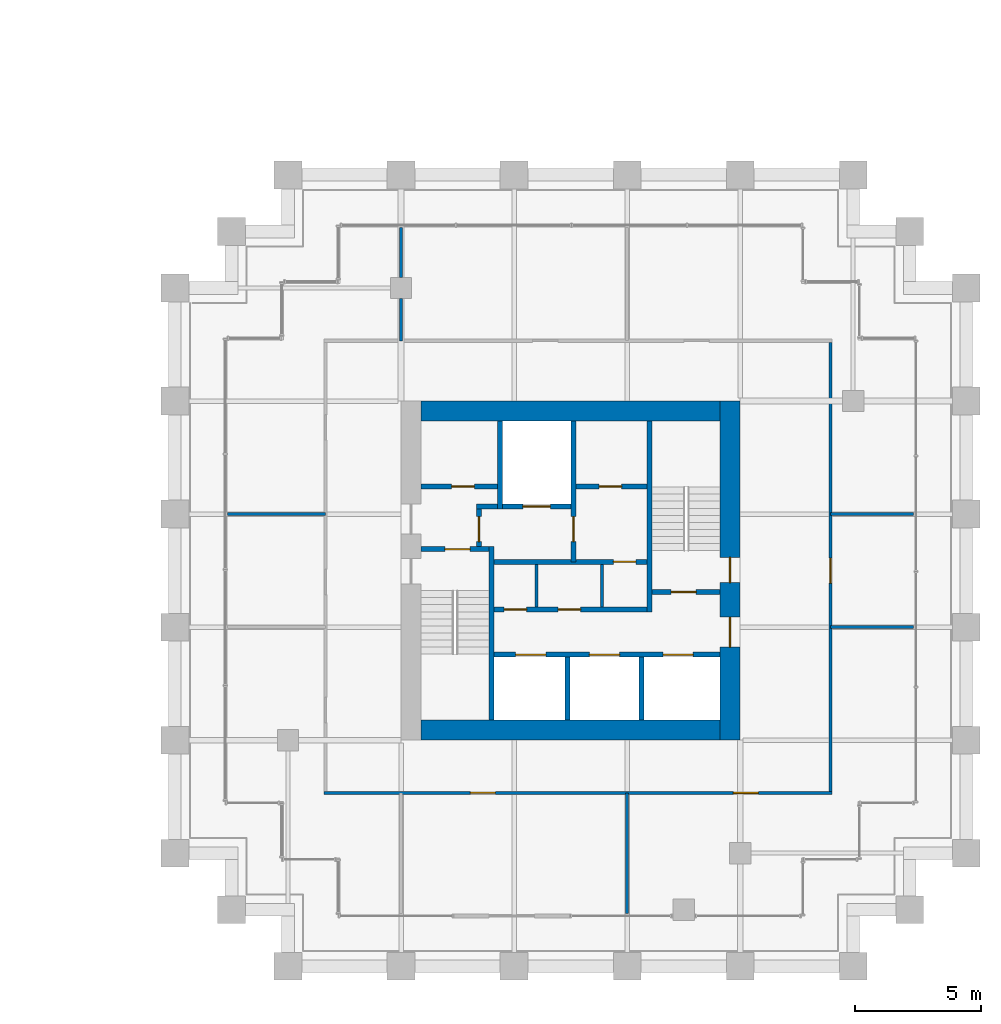
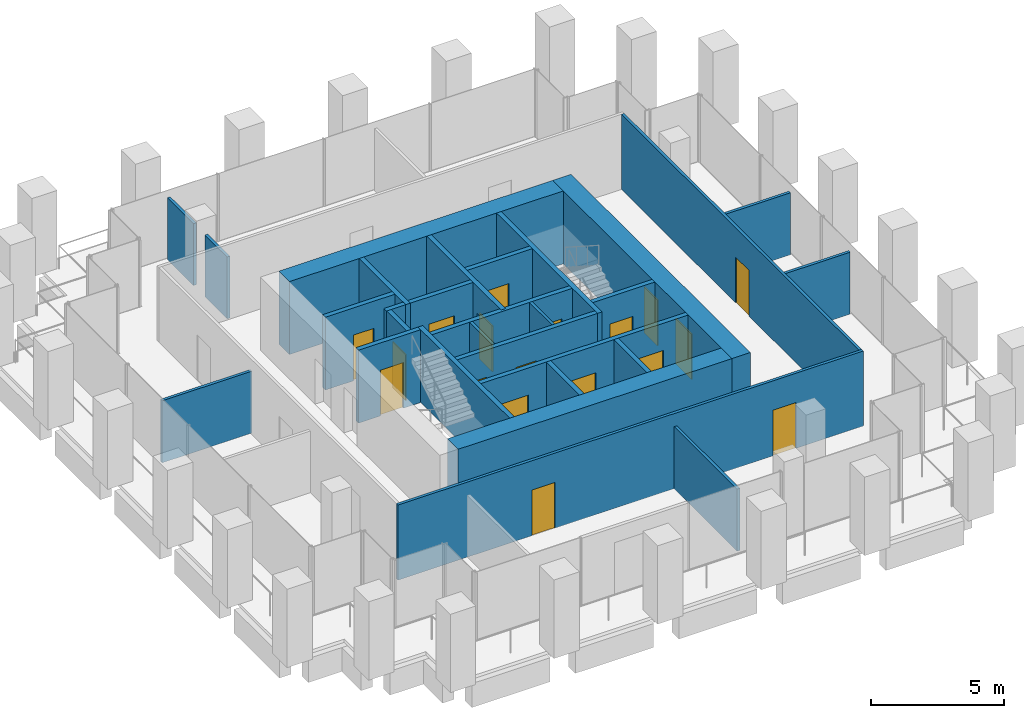
# One storey, part 53 of 56: 29 walls, 18 doors, 18 openings.
"""IFC4 building model written with IfcOpenShell, lengths in metres."""

import ifcopenshell
import ifcopenshell.guid

model = None  # the IFC model being written
_history = None  # IfcOwnerHistory: only IFC2X3 demands one
_inside = {}  # id of a spatial element -> (the spatial element, [elements in it])
_under = {}  # id of a project, library or spatial element -> (it, [spatial elements below it])
_declared = {}  # id of a project -> (the project, [libraries it declares])
_typed = {}  # id of a type object -> (the type object, [elements of that type])
_made_of = {}  # id of a material, layer set ... -> (it, [elements and type objects made of it])


def new_model(schema):
    """Start an empty IFC model of exactly this schema.

    Asked for "IFC4X3", IfcOpenShell would pick the latest addendum, in which some entities
    have other attributes; the version numbers below select the first issue.
    IFC2X3 requires an IfcOwnerHistory on every rooted entity: one is made here for all.
    """
    global model, _history
    if schema == "IFC4X3":
        model = ifcopenshell.file(schema_version=(4, 3, 0, 0))
    else:
        model = ifcopenshell.file(schema=schema)
    _inside.clear()
    _under.clear()
    _declared.clear()
    _typed.clear()
    _made_of.clear()
    _history = None
    if model.schema == "IFC2X3":
        org = make("IfcOrganization", Name="unknown")
        user = make(
            "IfcPersonAndOrganization",
            ThePerson=make("IfcPerson", FamilyName="unknown"),
            TheOrganization=org,
        )
        app = make(
            "IfcApplication",
            ApplicationDeveloper=org,
            Version="unknown",
            ApplicationFullName="unknown",
            ApplicationIdentifier="unknown",
        )
        _history = make(
            "IfcOwnerHistory",
            OwningUser=user,
            OwningApplication=app,
            ChangeAction="ADDED",
            CreationDate=0,
        )
    return model


def make(cls, **values):
    """One entity of the class cls with the attributes given. An attribute that is None is left unset."""
    return model.create_entity(
        cls, **{name: value for name, value in values.items() if value is not None}
    )


def rooted(cls, **values):
    """An entity with a GlobalId (a new one), such as an element, a storey or a relation."""
    return make(cls, GlobalId=ifcopenshell.guid.new(), OwnerHistory=_history, **values)


def si_unit(unit_type, name, prefix=None):
    """IfcSIUnit, for example si_unit("LENGTHUNIT", "METRE", prefix="MILLI")."""
    return make("IfcSIUnit", UnitType=unit_type, Prefix=prefix, Name=name)


def assignment(units):
    """IfcUnitAssignment: the units of a project."""
    return None if units is None else make("IfcUnitAssignment", Units=units)


def point(xyz):
    """IfcCartesianPoint."""
    return None if xyz is None else make("IfcCartesianPoint", Coordinates=xyz)


def direction(xyz):
    """IfcDirection."""
    return None if xyz is None else make("IfcDirection", DirectionRatios=xyz)


def frame(location, z_axis=None, x_axis=None):
    """IfcAxis2Placement3D, a coordinate frame: its origin and axes. An axis left out is left unset."""
    return make(
        "IfcAxis2Placement3D",
        Location=point(location),
        Axis=direction(z_axis),
        RefDirection=direction(x_axis),
    )


def frame_2d(location, x_axis=None):
    """IfcAxis2Placement2D, a coordinate frame in the plane: its origin and x axis."""
    return make(
        "IfcAxis2Placement2D", Location=point(location), RefDirection=direction(x_axis)
    )


def origin():
    """The frame at (0, 0, 0) with its axes left unset."""
    return frame((0.0, 0.0, 0.0))


def place(relative_to, where):
    """IfcLocalPlacement: puts the frame where relative to a parent placement (None: the world)."""
    return make(
        "IfcLocalPlacement", PlacementRelTo=relative_to, RelativePlacement=where
    )


def context(
    kind, dimensions, precision=None, world=None, true_north=None, identifier=None
):
    """IfcGeometricRepresentationContext, for example the 3D "Model" context."""
    return make(
        "IfcGeometricRepresentationContext",
        ContextIdentifier=identifier,
        ContextType=kind,
        CoordinateSpaceDimension=dimensions,
        Precision=precision,
        WorldCoordinateSystem=world,
        TrueNorth=true_north,
    )


def subcontext(parent, identifier, kind, view, scale=None):
    """IfcGeometricRepresentationSubContext, for example "Body" below "Model"."""
    return make(
        "IfcGeometricRepresentationSubContext",
        ContextIdentifier=identifier,
        ContextType=kind,
        ParentContext=parent,
        TargetScale=scale,
        TargetView=view,
    )


def project(units=None, contexts=None):
    """IfcProject with its units and contexts."""
    return rooted(
        "IfcProject",
        Name="project",
        RepresentationContexts=contexts,
        UnitsInContext=assignment(units),
    )


def spatial(cls, under=None, at=None, **own):
    """A site, building, storey or space (cls), placed at a placement, below another one or the project."""
    s = rooted(cls, ObjectPlacement=at, **own)
    if under is not None:
        _under.setdefault(under.id(), (under, []))[1].append(s)
    return s


def profile(cls, at=None, kind="AREA", **sizes):
    """A parametric profile (cls). Its sizes go by their IFC names, for example OverallWidth=200.0."""
    return make(cls, ProfileType=kind, Position=at, **sizes)


def rectangle(**sizes):
    """IfcRectangleProfileDef."""
    return profile("IfcRectangleProfileDef", **sizes)


def extrude(swept, where, along, depth):
    """IfcExtrudedAreaSolid: the profile swept, set in the frame where, extruded along a direction by depth."""
    return make(
        "IfcExtrudedAreaSolid",
        SweptArea=swept,
        Position=where,
        ExtrudedDirection=direction(along),
        Depth=depth,
    )


def shape(context_of_items, identifier, shape_type, items):
    """IfcShapeRepresentation: the items that make up one representation, for example the "Body"."""
    return make(
        "IfcShapeRepresentation",
        ContextOfItems=context_of_items,
        RepresentationIdentifier=identifier,
        RepresentationType=shape_type,
        Items=items,
    )


def material(Name=None, Category=None):
    """IfcMaterial."""
    return make("IfcMaterial", Name=Name, Category=Category)


def layer(
    of_material, thickness, ventilated=None, Name=None, Category=None, Priority=None
):
    """IfcMaterialLayer: one layer of a wall or slab, of a material (None: an air gap)."""
    return make(
        "IfcMaterialLayer",
        Material=of_material,
        LayerThickness=thickness,
        IsVentilated=ventilated,
        Name=Name,
        Category=Category,
        Priority=Priority,
    )


def layer_set(layers, Name=None):
    """IfcMaterialLayerSet."""
    return make("IfcMaterialLayerSet", MaterialLayers=layers, LayerSetName=Name)


def made_of(thing, what):
    """Note that an element or type object is made of a material, layer set ...; save() writes the relation."""
    if what is not None:
        _made_of.setdefault(what.id(), (what, []))[1].append(thing)
    return thing


def type_object(cls, material=None, **own):
    """A type object (cls), such as IfcWallType, which elements share."""
    return made_of(rooted(cls, **own), material)


def element(
    cls,
    number,
    at=None,
    inside=None,
    cuts=None,
    type_object=None,
    material=None,
    context=None,
    identifier="Body",
    shape_type=None,
    held_by="IfcProductDefinitionShape",
    body=None,
    shapes=None,
    **own,
):
    """One element of the class cls, such as IfcWall. Its Tag is "e" and its number.

    at: its placement. inside: the storey or other place that contains it. cuts: it is an
    opening in that element (IfcRelVoidsElement). A single representation is given by context,
    identifier, shape_type and body (its items); several are given by shapes. held_by: the class
    of the entity that holds the representations. save() writes the other relations.
    """
    e = rooted(cls, Tag="e%d" % number, ObjectPlacement=at, **own)
    if body is not None:
        shapes = [shape(context, identifier, shape_type, body)]
    if shapes is not None:
        e.Representation = make(held_by, Representations=shapes)
    if inside is not None:
        _inside.setdefault(inside.id(), (inside, []))[1].append(e)
    if cuts is not None:
        rooted(
            "IfcRelVoidsElement", RelatingBuildingElement=cuts, RelatedOpeningElement=e
        )
    if type_object is not None:
        _typed.setdefault(type_object.id(), (type_object, []))[1].append(e)
    return made_of(e, material)


def fill(opening, filler):
    """IfcRelFillsElement: the door or window that sits in an opening."""
    return rooted(
        "IfcRelFillsElement",
        RelatingOpeningElement=opening,
        RelatedBuildingElement=filler,
    )


def aggregate(whole, parts):
    """IfcRelAggregates: a whole, such as a stair, and the parts it consists of."""
    return rooted("IfcRelAggregates", RelatingObject=whole, RelatedObjects=parts)


def save(model, path):
    """Write the relations noted so far, then the file.

    IfcRelAggregates (storeys below a building ...), IfcRelContainedInSpatialStructure (elements
    in a storey), IfcRelDefinesByType, IfcRelAssociatesMaterial and IfcRelDeclares: one each for
    every whole, place, type object, material and project.
    """
    for whole, parts in _under.values():
        aggregate(whole, parts)
    for where, things in _inside.values():
        rooted(
            "IfcRelContainedInSpatialStructure",
            RelatedElements=things,
            RelatingStructure=where,
        )
    for kind, things in _typed.values():
        rooted("IfcRelDefinesByType", RelatedObjects=things, RelatingType=kind)
    for what, things in _made_of.values():
        rooted("IfcRelAssociatesMaterial", RelatedObjects=things, RelatingMaterial=what)
    for by, libraries in _declared.values():
        rooted("IfcRelDeclares", RelatingContext=by, RelatedDefinitions=libraries)
    model.write(path)


model = new_model("IFC4")

# Units and contexts
model_context = context("Model", 3, precision=1e-05, world=origin(), true_north=direction((0.0, 1.0)))
body_context = subcontext(model_context, "Body", "Model", "MODEL_VIEW")
ifc_project = project(units=[si_unit("LENGTHUNIT", "METRE"), si_unit("AREAUNIT", "SQUARE_METRE"), si_unit("VOLUMEUNIT", "CUBIC_METRE"), si_unit("PLANEANGLEUNIT", "RADIAN"), si_unit("MASSUNIT", "GRAM", prefix="KILO")], contexts=[model_context])

# Site, building, storey
site_placement = place(None, origin())
site = spatial("IfcSite", under=ifc_project, at=site_placement, CompositionType="ELEMENT")
building_placement = place(site_placement, origin())
building = spatial("IfcBuilding", under=site, at=building_placement, Name="Altepetl Exchange Towers", CompositionType="ELEMENT")
storey_placement = place(building_placement, frame((0.0, 0.0, 76.199951171875)))
storey = spatial("IfcBuildingStorey", under=building, at=storey_placement, Name="L18", CompositionType="ELEMENT", Elevation=76.199951171875)

# Wall, openings, doors
ifc_material_1 = material(Name="Concrete C70/85", Category="concrete")
ifc_layer_1 = layer(ifc_material_1, 0.800048828125)
ifc_layer_set_1 = layer_set([ifc_layer_1], Name="Concrete C70/85")
wall_type_1 = type_object("IfcWallType", Name="Core wall 800 reinforced concrete", PredefinedType="SHEAR", material=ifc_layer_set_1)
wall_1_placement = place(storey_placement, frame((116.60009765625, 36.0, 0.0), z_axis=(0.0, 0.0, 1.0), x_axis=(0.0, 1.0, 0.0)))
wall_1 = element("IfcWall", 1, at=wall_1_placement, inside=storey, type_object=wall_type_1, Name="wall:B:L18:K-coreE", PredefinedType="SHEAR", context=body_context, shape_type="SweptSolid", body=[
    extrude(rectangle(XDim=13.5, YDim=0.800048828125, at=frame_2d((6.75, 0.0))), origin(), (0.0, 0.0, 1.0), 3.35009765625),
])
opening_1_placement = place(wall_1_placement, frame((3.699951171875, 0.0, 0.0)))
opening_1 = element("IfcOpeningElement", 2, at=opening_1_placement, cuts=wall_1, Name="Opening L18.B61", PredefinedType="OPENING", context=body_context, shape_type="SweptSolid", body=[
    extrude(rectangle(XDim=1.199951171875, YDim=2.10009765625, at=frame_2d((0.60009765625, 1.050048828125))), frame((0.0, 0.41015625, 0.0), z_axis=(0.0, -1.0, 0.0), x_axis=(1.0, 0.0, 0.0)), (0.0, 0.0, 1.0), 0.820068359375),
])
opening_2_placement = place(wall_1_placement, frame((6.27490234375, 0.0, 0.0)))
opening_2 = element("IfcOpeningElement", 3, at=opening_2_placement, cuts=wall_1, Name="Opening L18.B65", PredefinedType="OPENING", context=body_context, shape_type="SweptSolid", body=[
    extrude(rectangle(XDim=1.0, YDim=2.10009765625, at=frame_2d((0.5, 1.050048828125))), frame((0.0, 0.41015625, 0.0), z_axis=(0.0, -1.0, 0.0), x_axis=(1.0, 0.0, 0.0)), (0.0, 0.0, 1.0), 0.820068359375),
])
ifc_material_2 = material(Name="Steel and timber fire door", Category="steel")
door_type_1 = type_object("IfcDoorType", Name="Fire door 1000 x 2100 stair and lobby", OperationType="SINGLE_SWING_LEFT", PredefinedType="DOOR", material=ifc_material_2)
door_1_placement = place(opening_2_placement, origin())
door_1 = element("IfcDoor", 4, at=door_1_placement, inside=storey, type_object=door_type_1, Name="door:B:L18:K-dS2x", OperationType="SINGLE_SWING_LEFT", OverallHeight=2.10009765625, OverallWidth=1.0, PredefinedType="DOOR", context=body_context, shape_type="SweptSolid", body=[
    extrude(rectangle(XDim=1.0, YDim=2.10009765625, at=frame_2d((0.5, 1.050048828125))), frame((0.0, 0.02490234375, 0.0), z_axis=(0.0, -1.0, 0.0), x_axis=(1.0, 0.0, 0.0)), (0.0, 0.0, 1.0), 0.050048828125),
])
fill(opening_2, door_1)
door_type_2 = type_object("IfcDoorType", Name="Fire door 1200 x 2100 lobby entry", OperationType="SINGLE_SWING_LEFT", PredefinedType="DOOR", material=ifc_material_2)
door_2_placement = place(opening_1_placement, origin())
door_2 = element("IfcDoor", 5, at=door_2_placement, inside=storey, type_object=door_type_2, Name="door:B:L18:K-dLSE", OperationType="SINGLE_SWING_RIGHT", OverallHeight=2.10009765625, OverallWidth=1.199951171875, PredefinedType="DOOR", context=body_context, shape_type="SweptSolid", body=[
    extrude(rectangle(XDim=1.199951171875, YDim=2.10009765625, at=frame_2d((0.60009765625, 1.050048828125))), frame((0.0, 0.02490234375, 0.0), z_axis=(0.0, -1.0, 0.0), x_axis=(1.0, 0.0, 0.0)), (0.0, 0.0, 1.0), 0.050048828125),
])
fill(opening_1, door_2)

# Walls
for number, where, name in (
    (6, (104.300048828125, 49.10009765625, 0.0), "wall:B:L18:K-coreN"),
    (7, (104.300048828125, 36.39990234375, 0.0), "wall:B:L18:K-coreS"),
):
    element("IfcWall", number, at=place(storey_placement, frame(where)), inside=storey, type_object=wall_type_1, Name=name, PredefinedType="SHEAR", context=body_context, shape_type="SweptSolid", body=[
        extrude(rectangle(XDim=11.89990234375, YDim=0.800048828125, at=frame_2d((5.949951171875, 0.0))), origin(), (0.0, 0.0, 1.0), 3.35009765625),
    ])
ifc_material_3 = material(Name="Concrete blockwork", Category="masonry")
ifc_layer_2 = layer(ifc_material_3, 0.199951171875)
ifc_layer_set_2 = layer_set([ifc_layer_2], Name="Concrete blockwork")
wall_type_2 = type_object("IfcWallType", Name="Lobby wall 200 blockwork", PredefinedType="PARTITIONING", material=ifc_layer_set_2)
wall_2_placement = place(storey_placement, frame((106.5, 45.300048828125, 0.0)))
element("IfcWall", 8, at=wall_2_placement, inside=storey, type_object=wall_type_2, Name="wall:B:L18:K-ffNw", PredefinedType="PARTITIONING", context=body_context, shape_type="SweptSolid", body=[
    extrude(rectangle(XDim=0.833251953125, YDim=0.199951171875, at=frame_2d((0.41650390625, 0.0))), origin(), (0.0, 0.0, 1.0), 3.35009765625),
])

# Wall, opening, door
wall_3_placement = place(storey_placement, frame((106.60009765625, 43.699951171875, 0.0), z_axis=(0.0, 0.0, 1.0), x_axis=(0.0, 1.0, 0.0)))
wall_3 = element("IfcWall", 9, at=wall_3_placement, inside=storey, type_object=wall_type_2, Name="wall:B:L18:K-ffW", PredefinedType="PARTITIONING", context=body_context, shape_type="SweptSolid", body=[
    extrude(rectangle(XDim=1.5, YDim=0.199951171875, at=frame_2d((0.75, 0.0))), origin(), (0.0, 0.0, 1.0), 3.35009765625),
])
opening_3_placement = place(wall_3_placement, frame((0.199951171875, 0.0, 0.0)))
opening_3 = element("IfcOpeningElement", 10, at=opening_3_placement, cuts=wall_3, Name="Opening L18.B67", PredefinedType="OPENING", context=body_context, shape_type="SweptSolid", body=[
    extrude(rectangle(XDim=1.0, YDim=2.10009765625, at=frame_2d((0.5, 1.050048828125))), frame((0.0, 0.10986328125, 0.0), z_axis=(0.0, -1.0, 0.0), x_axis=(1.0, 0.0, 0.0)), (0.0, 0.0, 1.0), 0.219970703125),
])
door_3_placement = place(opening_3_placement, frame((1.0, 0.0, 0.0), x_axis=(-1.0, 0.0, 0.0)))
door_3 = element("IfcDoor", 11, at=door_3_placement, inside=storey, type_object=door_type_1, Name="door:B:L18:K-dffW", OperationType="SINGLE_SWING_LEFT", OverallHeight=2.10009765625, OverallWidth=1.0, PredefinedType="DOOR", context=body_context, shape_type="SweptSolid", body=[
    extrude(rectangle(XDim=1.0, YDim=2.10009765625, at=frame_2d((0.5, 1.050048828125))), frame((0.0, 0.02490234375, 0.0), z_axis=(0.0, -1.0, 0.0), x_axis=(1.0, 0.0, 0.0)), (0.0, 0.0, 1.0), 0.050048828125),
])
fill(opening_3, door_3)

wall_4_placement = place(storey_placement, frame((107.199951171875, 43.10009765625, 0.0)))
wall_4 = element("IfcWall", 12, at=wall_4_placement, inside=storey, type_object=wall_type_2, Name="wall:B:L18:K-zoneN", PredefinedType="PARTITIONING", context=body_context, shape_type="SweptSolid", body=[
    extrude(rectangle(XDim=6.10009765625, YDim=0.199951171875, at=frame_2d((3.050048828125, 0.0))), origin(), (0.0, 0.0, 1.0), 3.35009765625),
])
opening_4_placement = place(wall_4_placement, frame((4.75, 0.0, 0.0)))
opening_4 = element("IfcOpeningElement", 13, at=opening_4_placement, cuts=wall_4, Name="Opening L18.B72", PredefinedType="OPENING", context=body_context, shape_type="SweptSolid", body=[
    extrude(rectangle(XDim=0.89990234375, YDim=2.10009765625, at=frame_2d((0.449951171875, 1.050048828125))), frame((0.0, 0.10986328125, 0.0), z_axis=(0.0, -1.0, 0.0), x_axis=(1.0, 0.0, 0.0)), (0.0, 0.0, 1.0), 0.219970703125),
])
door_type_3 = type_object("IfcDoorType", Name="Fire door 900 x 2100 service room", OperationType="SINGLE_SWING_LEFT", PredefinedType="DOOR", material=ifc_material_2)
door_4_placement = place(opening_4_placement, frame((0.89990234375, 0.0, 0.0), x_axis=(-1.0, 0.0, 0.0)))
door_4 = element("IfcDoor", 14, at=door_4_placement, inside=storey, type_object=door_type_3, Name="door:B:L18:K-dz3", OperationType="SINGLE_SWING_RIGHT", OverallHeight=2.10009765625, OverallWidth=0.89990234375, PredefinedType="DOOR", context=body_context, shape_type="SweptSolid", body=[
    extrude(rectangle(XDim=0.89990234375, YDim=2.10009765625, at=frame_2d((0.449951171875, 1.050048828125))), frame((0.0, 0.02490234375, 0.0), z_axis=(0.0, -1.0, 0.0), x_axis=(1.0, 0.0, 0.0)), (0.0, 0.0, 1.0), 0.050048828125),
])
fill(opening_4, door_4)

# Wall, openings, doors
wall_5_placement = place(storey_placement, frame((107.199951171875, 41.199951171875, 0.0)))
wall_5 = element("IfcWall", 15, at=wall_5_placement, inside=storey, type_object=wall_type_2, Name="wall:B:L18:K-zoneS", PredefinedType="PARTITIONING", context=body_context, shape_type="SweptSolid", body=[
    extrude(rectangle(XDim=6.10009765625, YDim=0.199951171875, at=frame_2d((3.050048828125, 0.0))), origin(), (0.0, 0.0, 1.0), 3.35009765625),
])
opening_5_placement = place(wall_5_placement, frame((0.39990234375, 0.0, 0.0)))
opening_5 = element("IfcOpeningElement", 16, at=opening_5_placement, cuts=wall_5, Name="Opening L18.B70", PredefinedType="OPENING", context=body_context, shape_type="SweptSolid", body=[
    extrude(rectangle(XDim=0.89990234375, YDim=2.10009765625, at=frame_2d((0.449951171875, 1.050048828125))), frame((0.0, 0.10986328125, 0.0), z_axis=(0.0, -1.0, 0.0), x_axis=(1.0, 0.0, 0.0)), (0.0, 0.0, 1.0), 0.219970703125),
])
opening_6_placement = place(wall_5_placement, frame((2.550048828125, 0.0, 0.0)))
opening_6 = element("IfcOpeningElement", 17, at=opening_6_placement, cuts=wall_5, Name="Opening L18.B71", PredefinedType="OPENING", context=body_context, shape_type="SweptSolid", body=[
    extrude(rectangle(XDim=0.89990234375, YDim=2.10009765625, at=frame_2d((0.449951171875, 1.050048828125))), frame((0.0, 0.10986328125, 0.0), z_axis=(0.0, -1.0, 0.0), x_axis=(1.0, 0.0, 0.0)), (0.0, 0.0, 1.0), 0.219970703125),
])
door_5_placement = place(opening_5_placement, origin())
door_5 = element("IfcDoor", 18, at=door_5_placement, inside=storey, type_object=door_type_3, Name="door:B:L18:K-dz1", OperationType="SINGLE_SWING_RIGHT", OverallHeight=2.10009765625, OverallWidth=0.89990234375, PredefinedType="DOOR", context=body_context, shape_type="SweptSolid", body=[
    extrude(rectangle(XDim=0.89990234375, YDim=2.10009765625, at=frame_2d((0.449951171875, 1.050048828125))), frame((0.0, 0.02490234375, 0.0), z_axis=(0.0, -1.0, 0.0), x_axis=(1.0, 0.0, 0.0)), (0.0, 0.0, 1.0), 0.050048828125),
])
fill(opening_5, door_5)
door_6_placement = place(opening_6_placement, origin())
door_6 = element("IfcDoor", 19, at=door_6_placement, inside=storey, type_object=door_type_3, Name="door:B:L18:K-dz2", OperationType="SINGLE_SWING_LEFT", OverallHeight=2.10009765625, OverallWidth=0.89990234375, PredefinedType="DOOR", context=body_context, shape_type="SweptSolid", body=[
    extrude(rectangle(XDim=0.89990234375, YDim=2.10009765625, at=frame_2d((0.449951171875, 1.050048828125))), frame((0.0, 0.02490234375, 0.0), z_axis=(0.0, -1.0, 0.0), x_axis=(1.0, 0.0, 0.0)), (0.0, 0.0, 1.0), 0.050048828125),
])
fill(opening_6, door_6)

# Walls
ifc_material_4 = material(Name="Gypsum board on steel studs", Category="steel")
ifc_layer_3 = layer(ifc_material_4, 0.125)
ifc_layer_set_3 = layer_set([ifc_layer_3], Name="Gypsum board on steel studs")
wall_type_3 = type_object("IfcWallType", Name="Partition 125 gypsum board on steel studs", PredefinedType="PARTITIONING", material=ifc_layer_set_3)
for number, where, z_axis, x_axis, name in (
    (20, (108.89990234375, 41.300048828125, 0.0), (0.0, 0.0, 1.0), (0.0, 1.0, 0.0), "wall:B:L18:K-zp1"),
    (21, (111.5, 41.300048828125, 0.0), (0.0, 0.0, 1.0), (0.0, 1.0, 0.0), "wall:B:L18:K-zp2"),
):
    element("IfcWall", number, at=place(storey_placement, frame(where, z_axis=z_axis, x_axis=x_axis)), inside=storey, type_object=wall_type_3, Name=name, PredefinedType="PARTITIONING", context=body_context, shape_type="SweptSolid", body=[
        extrude(rectangle(XDim=1.699951171875, YDim=0.125, at=frame_2d((0.85009765625, 0.0))), origin(), (0.0, 0.0, 1.0), 3.35009765625),
    ])

# Wall, openings, doors
wall_6_placement = place(storey_placement, frame((100.4375, 33.89990234375, 0.0)))
wall_6 = element("IfcWall", 22, at=wall_6_placement, inside=storey, type_object=wall_type_3, Name="wall:B:L18:P01", PredefinedType="PARTITIONING", context=body_context, shape_type="SweptSolid", body=[
    extrude(rectangle(XDim=20.22509765625, YDim=0.125, at=frame_2d((10.112548828125, 0.0))), origin(), (0.0, 0.0, 1.0), 3.449951171875),
])
opening_7_placement = place(wall_6_placement, frame((5.819580078125, 0.0, 0.0)))
opening_7 = element("IfcOpeningElement", 23, at=opening_7_placement, cuts=wall_6, Name="Opening L18.B02", PredefinedType="OPENING", context=body_context, shape_type="SweptSolid", body=[
    extrude(rectangle(XDim=1.0, YDim=2.10009765625, at=frame_2d((0.5, 1.050048828125))), frame((0.0, 0.072509765625, 0.0), z_axis=(0.0, -1.0, 0.0), x_axis=(1.0, 0.0, 0.0)), (0.0, 0.0, 1.0), 0.14501953125),
])
opening_8_placement = place(wall_6_placement, frame((16.29248046875, 0.0, 0.0)))
opening_8 = element("IfcOpeningElement", 24, at=opening_8_placement, cuts=wall_6, Name="Opening L18.B03", PredefinedType="OPENING", context=body_context, shape_type="SweptSolid", body=[
    extrude(rectangle(XDim=1.0, YDim=2.10009765625, at=frame_2d((0.5, 1.050048828125))), frame((0.0, 0.072509765625, 0.0), z_axis=(0.0, -1.0, 0.0), x_axis=(1.0, 0.0, 0.0)), (0.0, 0.0, 1.0), 0.14501953125),
])
door_type_4 = type_object("IfcDoorType", Name="Fire door 1000 x 2100 single leaf", OperationType="SINGLE_SWING_LEFT", PredefinedType="DOOR", material=ifc_material_2)
door_7_placement = place(opening_7_placement, frame((1.0, 0.0, 0.0), x_axis=(-1.0, 0.0, 0.0)))
door_7 = element("IfcDoor", 25, at=door_7_placement, inside=storey, type_object=door_type_4, Name="door:B:L18:02", OperationType="SINGLE_SWING_RIGHT", OverallHeight=2.10009765625, OverallWidth=1.0, PredefinedType="DOOR", context=body_context, shape_type="SweptSolid", body=[
    extrude(rectangle(XDim=1.0, YDim=2.10009765625, at=frame_2d((0.5, 1.050048828125))), frame((0.0, 0.02490234375, 0.0), z_axis=(0.0, -1.0, 0.0), x_axis=(1.0, 0.0, 0.0)), (0.0, 0.0, 1.0), 0.050048828125),
])
fill(opening_7, door_7)
door_8_placement = place(opening_8_placement, origin())
door_8 = element("IfcDoor", 26, at=door_8_placement, inside=storey, type_object=door_type_4, Name="door:B:L18:03", OperationType="SINGLE_SWING_RIGHT", OverallHeight=2.10009765625, OverallWidth=1.0, PredefinedType="DOOR", context=body_context, shape_type="SweptSolid", body=[
    extrude(rectangle(XDim=1.0, YDim=2.10009765625, at=frame_2d((0.5, 1.050048828125))), frame((0.0, 0.02490234375, 0.0), z_axis=(0.0, -1.0, 0.0), x_axis=(1.0, 0.0, 0.0)), (0.0, 0.0, 1.0), 0.050048828125),
])
fill(opening_8, door_8)

# Walls
wall_7_placement = place(storey_placement, frame((120.60009765625, 40.5, 0.0)))
element("IfcWall", 27, at=wall_7_placement, inside=storey, type_object=wall_type_3, Name="wall:B:L18:P03", PredefinedType="PARTITIONING", context=body_context, shape_type="SweptSolid", body=[
    extrude(rectangle(XDim=3.2998046875, YDim=0.125, at=frame_2d((1.64990234375, 0.0))), origin(), (0.0, 0.0, 1.0), 2.85107421875),
])
wall_8_placement = place(storey_placement, frame((96.60009765625, 45.0, 0.0)))
element("IfcWall", 28, at=wall_8_placement, inside=storey, type_object=wall_type_3, Name="wall:B:L18:P04", PredefinedType="PARTITIONING", context=body_context, shape_type="SweptSolid", body=[
    extrude(rectangle(XDim=3.89990234375, YDim=0.125, at=frame_2d((1.949951171875, 0.0))), origin(), (0.0, 0.0, 1.0), 2.85107421875),
])
wall_9_placement = place(storey_placement, frame((120.60009765625, 45.0, 0.0)))
element("IfcWall", 29, at=wall_9_placement, inside=storey, type_object=wall_type_3, Name="wall:B:L18:P05", PredefinedType="PARTITIONING", context=body_context, shape_type="SweptSolid", body=[
    extrude(rectangle(XDim=3.2998046875, YDim=0.125, at=frame_2d((1.64990234375, 0.0))), origin(), (0.0, 0.0, 1.0), 2.85107421875),
])
wall_10_placement = place(storey_placement, frame((103.5, 51.89990234375, 0.0), z_axis=(0.0, 0.0, 1.0), x_axis=(0.0, 1.0, 0.0)))
element("IfcWall", 30, at=wall_10_placement, inside=storey, type_object=wall_type_3, Name="wall:B:L18:P09", PredefinedType="PARTITIONING", context=body_context, shape_type="SweptSolid", body=[
    extrude(rectangle(XDim=1.675048828125, YDim=0.125, at=frame_2d((0.83740234375, 0.0))), origin(), (0.0, 0.0, 1.0), 2.842041015625),
])
wall_11_placement = place(storey_placement, frame((103.5, 54.425048828125, 0.0), z_axis=(0.0, 0.0, 1.0), x_axis=(0.0, 1.0, 0.0)))
element("IfcWall", 31, at=wall_11_placement, inside=storey, type_object=wall_type_3, Name="wall:B:L18:P10", PredefinedType="PARTITIONING", context=body_context, shape_type="SweptSolid", body=[
    extrude(rectangle(XDim=1.974853515625, YDim=0.125, at=frame_2d((0.9873046875, 0.0))), origin(), (0.0, 0.0, 1.0), 2.842041015625),
])
wall_12_placement = place(storey_placement, frame((112.5, 29.10009765625, 0.0), z_axis=(0.0, 0.0, 1.0), x_axis=(0.0, 1.0, 0.0)))
element("IfcWall", 32, at=wall_12_placement, inside=storey, type_object=wall_type_3, Name="wall:B:L18:P11", PredefinedType="PARTITIONING", context=body_context, shape_type="SweptSolid", body=[
    extrude(rectangle(XDim=4.7998046875, YDim=0.125, at=frame_2d((2.39990234375, 0.0))), origin(), (0.0, 0.0, 1.0), 2.85107421875),
])

# Wall, opening, door
wall_13_placement = place(storey_placement, frame((120.60009765625, 33.96240234375, 0.0), z_axis=(0.0, 0.0, 1.0), x_axis=(0.0, 1.0, 0.0)))
wall_13 = element("IfcWall", 33, at=wall_13_placement, inside=storey, type_object=wall_type_3, Name="wall:B:L18:P13", PredefinedType="PARTITIONING", context=body_context, shape_type="SweptSolid", body=[
    extrude(rectangle(XDim=17.875, YDim=0.125, at=frame_2d((8.9375, 0.0))), origin(), (0.0, 0.0, 1.0), 3.449951171875),
])
opening_9_placement = place(wall_13_placement, frame((8.28759765625, 0.0, 0.0)))
opening_9 = element("IfcOpeningElement", 34, at=opening_9_placement, cuts=wall_13, Name="Opening L18.B04", PredefinedType="OPENING", context=body_context, shape_type="SweptSolid", body=[
    extrude(rectangle(XDim=1.0, YDim=2.10009765625, at=frame_2d((0.5, 1.050048828125))), frame((0.0, 0.072509765625, 0.0), z_axis=(0.0, -1.0, 0.0), x_axis=(1.0, 0.0, 0.0)), (0.0, 0.0, 1.0), 0.14501953125),
])
door_9_placement = place(opening_9_placement, frame((1.0, 0.0, 0.0), x_axis=(-1.0, 0.0, 0.0)))
door_9 = element("IfcDoor", 35, at=door_9_placement, inside=storey, type_object=door_type_4, Name="door:B:L18:04", OperationType="SINGLE_SWING_RIGHT", OverallHeight=2.10009765625, OverallWidth=1.0, PredefinedType="DOOR", context=body_context, shape_type="SweptSolid", body=[
    extrude(rectangle(XDim=1.0, YDim=2.10009765625, at=frame_2d((0.5, 1.050048828125))), frame((0.0, 0.02490234375, 0.0), z_axis=(0.0, -1.0, 0.0), x_axis=(1.0, 0.0, 0.0)), (0.0, 0.0, 1.0), 0.050048828125),
])
fill(opening_9, door_9)

# Wall
ifc_material_5 = material(Name="Concrete C40/50", Category="concrete")
ifc_layer_4 = layer(ifc_material_5, 0.199951171875)
ifc_layer_set_4 = layer_set([ifc_layer_4], Name="Concrete C40/50")
wall_type_4 = type_object("IfcWallType", Name="Shaft wall 200 reinforced concrete", PredefinedType="SHEAR", material=ifc_layer_set_4)
wall_14_placement = place(storey_placement, frame((107.433349609375, 48.699951171875, 0.0), z_axis=(0.0, 0.0, 1.0), x_axis=(0.0, -1.0, 0.0)))
element("IfcWall", 36, at=wall_14_placement, inside=storey, type_object=wall_type_4, Name="wall:B:L18:K-divN1", PredefinedType="SHEAR", context=body_context, shape_type="SweptSolid", body=[
    extrude(rectangle(XDim=3.5, YDim=0.199951171875, at=frame_2d((1.75, 0.0))), origin(), (0.0, 0.0, 1.0), 3.35009765625),
])

# Wall, opening, door
wall_15_placement = place(storey_placement, frame((110.36669921875, 48.699951171875, 0.0), z_axis=(0.0, 0.0, 1.0), x_axis=(0.0, -1.0, 0.0)))
wall_15 = element("IfcWall", 37, at=wall_15_placement, inside=storey, type_object=wall_type_4, Name="wall:B:L18:K-divN2", PredefinedType="SHEAR", context=body_context, shape_type="SweptSolid", body=[
    extrude(rectangle(XDim=5.599853515625, YDim=0.199951171875, at=frame_2d((2.7998046875, 0.0))), origin(), (0.0, 0.0, 1.0), 3.35009765625),
])
opening_10_placement = place(wall_15_placement, frame((3.800048828125, 0.0, 0.0)))
opening_10 = element("IfcOpeningElement", 38, at=opening_10_placement, cuts=wall_15, Name="Opening L18.B66", PredefinedType="OPENING", context=body_context, shape_type="SweptSolid", body=[
    extrude(rectangle(XDim=1.0, YDim=2.10009765625, at=frame_2d((0.5, 1.050048828125))), frame((0.0, 0.10986328125, 0.0), z_axis=(0.0, -1.0, 0.0), x_axis=(1.0, 0.0, 0.0)), (0.0, 0.0, 1.0), 0.219970703125),
])
door_10_placement = place(opening_10_placement, frame((1.0, 0.0, 0.0), x_axis=(-1.0, 0.0, 0.0)))
door_10 = element("IfcDoor", 39, at=door_10_placement, inside=storey, type_object=door_type_1, Name="door:B:L18:K-dffE", OperationType="SINGLE_SWING_RIGHT", OverallHeight=2.10009765625, OverallWidth=1.0, PredefinedType="DOOR", context=body_context, shape_type="SweptSolid", body=[
    extrude(rectangle(XDim=1.0, YDim=2.10009765625, at=frame_2d((0.5, 1.050048828125))), frame((0.0, 0.02490234375, 0.0), z_axis=(0.0, -1.0, 0.0), x_axis=(1.0, 0.0, 0.0)), (0.0, 0.0, 1.0), 0.050048828125),
])
fill(opening_10, door_10)

# Walls
for number, where, z_axis, x_axis, name in (
    (40, (110.13330078125, 36.800048828125, 0.0), (0.0, 0.0, 1.0), (0.0, 1.0, 0.0), "wall:B:L18:K-divS1"),
    (41, (113.066650390625, 36.800048828125, 0.0), (0.0, 0.0, 1.0), (0.0, 1.0, 0.0), "wall:B:L18:K-divS2"),
):
    element("IfcWall", number, at=place(storey_placement, frame(where, z_axis=z_axis, x_axis=x_axis)), inside=storey, type_object=wall_type_4, Name=name, PredefinedType="SHEAR", context=body_context, shape_type="SweptSolid", body=[
        extrude(rectangle(XDim=2.5, YDim=0.199951171875, at=frame_2d((1.25, 0.0))), origin(), (0.0, 0.0, 1.0), 3.35009765625),
    ])

# Wall, opening, door
wall_16_placement = place(storey_placement, frame((104.300048828125, 46.10009765625, 0.0)))
wall_16 = element("IfcWall", 42, at=wall_16_placement, inside=storey, type_object=wall_type_4, Name="wall:B:L18:K-frontNa", PredefinedType="SHEAR", context=body_context, shape_type="SweptSolid", body=[
    extrude(rectangle(XDim=3.033203125, YDim=0.199951171875, at=frame_2d((1.5166015625, 0.0))), origin(), (0.0, 0.0, 1.0), 3.35009765625),
])
opening_11_placement = place(wall_16_placement, frame((1.216796875, 0.0, 0.0)))
opening_11 = element("IfcOpeningElement", 43, at=opening_11_placement, cuts=wall_16, Name="Opening L18.B68", PredefinedType="OPENING", context=body_context, shape_type="SweptSolid", body=[
    extrude(rectangle(XDim=0.89990234375, YDim=2.10009765625, at=frame_2d((0.449951171875, 1.050048828125))), frame((0.0, 0.10986328125, 0.0), z_axis=(0.0, -1.0, 0.0), x_axis=(1.0, 0.0, 0.0)), (0.0, 0.0, 1.0), 0.219970703125),
])
door_11_placement = place(opening_11_placement, origin())
door_11 = element("IfcDoor", 44, at=door_11_placement, inside=storey, type_object=door_type_3, Name="door:B:L18:K-dslotN0", OperationType="SINGLE_SWING_RIGHT", OverallHeight=2.10009765625, OverallWidth=0.89990234375, PredefinedType="DOOR", context=body_context, shape_type="SweptSolid", body=[
    extrude(rectangle(XDim=0.89990234375, YDim=2.10009765625, at=frame_2d((0.449951171875, 1.050048828125))), frame((0.0, 0.02490234375, 0.0), z_axis=(0.0, -1.0, 0.0), x_axis=(1.0, 0.0, 0.0)), (0.0, 0.0, 1.0), 0.050048828125),
])
fill(opening_11, door_11)

wall_17_placement = place(storey_placement, frame((110.466796875, 46.10009765625, 0.0)))
wall_17 = element("IfcWall", 45, at=wall_17_placement, inside=storey, type_object=wall_type_4, Name="wall:B:L18:K-frontNb", PredefinedType="SHEAR", context=body_context, shape_type="SweptSolid", body=[
    extrude(rectangle(XDim=2.833251953125, YDim=0.199951171875, at=frame_2d((1.41650390625, 0.0))), origin(), (0.0, 0.0, 1.0), 3.35009765625),
])
opening_12_placement = place(wall_17_placement, frame((0.91650390625, 0.0, 0.0)))
opening_12 = element("IfcOpeningElement", 46, at=opening_12_placement, cuts=wall_17, Name="Opening L18.B69", PredefinedType="OPENING", context=body_context, shape_type="SweptSolid", body=[
    extrude(rectangle(XDim=0.89990234375, YDim=2.10009765625, at=frame_2d((0.449951171875, 1.050048828125))), frame((0.0, 0.10986328125, 0.0), z_axis=(0.0, -1.0, 0.0), x_axis=(1.0, 0.0, 0.0)), (0.0, 0.0, 1.0), 0.219970703125),
])
door_12_placement = place(opening_12_placement, origin())
door_12 = element("IfcDoor", 47, at=door_12_placement, inside=storey, type_object=door_type_3, Name="door:B:L18:K-dslotN2", OperationType="SINGLE_SWING_RIGHT", OverallHeight=2.10009765625, OverallWidth=0.89990234375, PredefinedType="DOOR", context=body_context, shape_type="SweptSolid", body=[
    extrude(rectangle(XDim=0.89990234375, YDim=2.10009765625, at=frame_2d((0.449951171875, 1.050048828125))), frame((0.0, 0.02490234375, 0.0), z_axis=(0.0, -1.0, 0.0), x_axis=(1.0, 0.0, 0.0)), (0.0, 0.0, 1.0), 0.050048828125),
])
fill(opening_12, door_12)

wall_18_placement = place(storey_placement, frame((107.533203125, 45.300048828125, 0.0)))
wall_18 = element("IfcWall", 48, at=wall_18_placement, inside=storey, type_object=wall_type_4, Name="wall:B:L18:K-frontNd", PredefinedType="SHEAR", context=body_context, shape_type="SweptSolid", body=[
    extrude(rectangle(XDim=2.7333984375, YDim=0.199951171875, at=frame_2d((1.36669921875, 0.0))), origin(), (0.0, 0.0, 1.0), 3.35009765625),
])
opening_13_placement = place(wall_18_placement, frame((0.816650390625, 0.0, 0.0)))
opening_13 = element("IfcOpeningElement", 49, at=opening_13_placement, cuts=wall_18, Name="Opening L18.B73", PredefinedType="OPENING", context=body_context, shape_type="SweptSolid", body=[
    extrude(rectangle(XDim=1.10009765625, YDim=2.10009765625, at=frame_2d((0.550048828125, 1.050048828125))), frame((0.0, 0.10986328125, 0.0), z_axis=(0.0, -1.0, 0.0), x_axis=(1.0, 0.0, 0.0)), (0.0, 0.0, 1.0), 0.219970703125),
])
ifc_material_6 = material(Name="Stainless steel", Category="steel")
door_type_5 = type_object("IfcDoorType", Name="Lift landing door 1100 x 2100", OperationType="SLIDING_TO_LEFT", PredefinedType="DOOR", material=ifc_material_6)
door_13_placement = place(opening_13_placement, origin())
door_13 = element("IfcDoor", 50, at=door_13_placement, inside=storey, type_object=door_type_5, Name="Landing door FFL1", OperationType="SLIDING_TO_LEFT", OverallHeight=2.10009765625, OverallWidth=1.10009765625, PredefinedType="DOOR", context=body_context, shape_type="SweptSolid", body=[
    extrude(rectangle(XDim=1.10009765625, YDim=2.10009765625, at=frame_2d((0.550048828125, 1.050048828125))), frame((0.0, 0.02490234375, 0.0), z_axis=(0.0, -1.0, 0.0), x_axis=(1.0, 0.0, 0.0)), (0.0, 0.0, 1.0), 0.050048828125),
])
fill(opening_13, door_13)

# Wall, openings, doors
wall_19_placement = place(storey_placement, frame((107.199951171875, 39.39990234375, 0.0)))
wall_19 = element("IfcWall", 51, at=wall_19_placement, inside=storey, type_object=wall_type_4, Name="wall:B:L18:K-frontS", PredefinedType="SHEAR", context=body_context, shape_type="SweptSolid", body=[
    extrude(rectangle(XDim=9.0, YDim=0.199951171875, at=frame_2d((4.5, 0.0))), origin(), (0.0, 0.0, 1.0), 3.35009765625),
])
opening_14_placement = place(wall_19_placement, frame((0.86669921875, 0.0, 0.0)))
opening_14 = element("IfcOpeningElement", 52, at=opening_14_placement, cuts=wall_19, Name="Opening L18.B74", PredefinedType="OPENING", context=body_context, shape_type="SweptSolid", body=[
    extrude(rectangle(XDim=1.199951171875, YDim=2.10009765625, at=frame_2d((0.60009765625, 1.050048828125))), frame((0.0, 0.10986328125, 0.0), z_axis=(0.0, -1.0, 0.0), x_axis=(1.0, 0.0, 0.0)), (0.0, 0.0, 1.0), 0.219970703125),
])
opening_15_placement = place(wall_19_placement, frame((3.800048828125, 0.0, 0.0)))
opening_15 = element("IfcOpeningElement", 53, at=opening_15_placement, cuts=wall_19, Name="Opening L18.B75", PredefinedType="OPENING", context=body_context, shape_type="SweptSolid", body=[
    extrude(rectangle(XDim=1.199951171875, YDim=2.10009765625, at=frame_2d((0.60009765625, 1.050048828125))), frame((0.0, 0.10986328125, 0.0), z_axis=(0.0, -1.0, 0.0), x_axis=(1.0, 0.0, 0.0)), (0.0, 0.0, 1.0), 0.219970703125),
])
opening_16_placement = place(wall_19_placement, frame((6.7333984375, 0.0, 0.0)))
opening_16 = element("IfcOpeningElement", 54, at=opening_16_placement, cuts=wall_19, Name="Opening L18.B76", PredefinedType="OPENING", context=body_context, shape_type="SweptSolid", body=[
    extrude(rectangle(XDim=1.199951171875, YDim=2.10009765625, at=frame_2d((0.60009765625, 1.050048828125))), frame((0.0, 0.10986328125, 0.0), z_axis=(0.0, -1.0, 0.0), x_axis=(1.0, 0.0, 0.0)), (0.0, 0.0, 1.0), 0.219970703125),
])
door_type_6 = type_object("IfcDoorType", Name="Lift landing door 1200 x 2100", OperationType="SLIDING_TO_LEFT", PredefinedType="DOOR", material=ifc_material_6)
door_14_placement = place(opening_14_placement, origin())
door_14 = element("IfcDoor", 55, at=door_14_placement, inside=storey, type_object=door_type_6, Name="Landing door P1", OperationType="SLIDING_TO_LEFT", OverallHeight=2.10009765625, OverallWidth=1.199951171875, PredefinedType="DOOR", context=body_context, shape_type="SweptSolid", body=[
    extrude(rectangle(XDim=1.199951171875, YDim=2.10009765625, at=frame_2d((0.60009765625, 1.050048828125))), frame((0.0, 0.02490234375, 0.0), z_axis=(0.0, -1.0, 0.0), x_axis=(1.0, 0.0, 0.0)), (0.0, 0.0, 1.0), 0.050048828125),
])
fill(opening_14, door_14)
door_15_placement = place(opening_15_placement, origin())
door_15 = element("IfcDoor", 56, at=door_15_placement, inside=storey, type_object=door_type_6, Name="Landing door P2", OperationType="SLIDING_TO_LEFT", OverallHeight=2.10009765625, OverallWidth=1.199951171875, PredefinedType="DOOR", context=body_context, shape_type="SweptSolid", body=[
    extrude(rectangle(XDim=1.199951171875, YDim=2.10009765625, at=frame_2d((0.60009765625, 1.050048828125))), frame((0.0, 0.02490234375, 0.0), z_axis=(0.0, -1.0, 0.0), x_axis=(1.0, 0.0, 0.0)), (0.0, 0.0, 1.0), 0.050048828125),
])
fill(opening_15, door_15)
door_16_placement = place(opening_16_placement, origin())
door_16 = element("IfcDoor", 57, at=door_16_placement, inside=storey, type_object=door_type_6, Name="Landing door P3", OperationType="SLIDING_TO_LEFT", OverallHeight=2.10009765625, OverallWidth=1.199951171875, PredefinedType="DOOR", context=body_context, shape_type="SweptSolid", body=[
    extrude(rectangle(XDim=1.199951171875, YDim=2.10009765625, at=frame_2d((0.60009765625, 1.050048828125))), frame((0.0, 0.02490234375, 0.0), z_axis=(0.0, -1.0, 0.0), x_axis=(1.0, 0.0, 0.0)), (0.0, 0.0, 1.0), 0.050048828125),
])
fill(opening_16, door_16)

# Wall
ifc_layer_5 = layer(ifc_material_5, 0.199951171875)
ifc_layer_set_5 = layer_set([ifc_layer_5], Name="Concrete C40/50")
wall_type_5 = type_object("IfcWallType", Name="Stair wall 200 reinforced concrete", PredefinedType="SHEAR", material=ifc_layer_set_5)
wall_20_placement = place(storey_placement, frame((107.10009765625, 36.800048828125, 0.0), z_axis=(0.0, 0.0, 1.0), x_axis=(0.0, 1.0, 0.0)))
element("IfcWall", 58, at=wall_20_placement, inside=storey, type_object=wall_type_5, Name="wall:B:L18:K-stS1E", PredefinedType="SHEAR", context=body_context, shape_type="SweptSolid", body=[
    extrude(rectangle(XDim=6.89990234375, YDim=0.199951171875, at=frame_2d((3.449951171875, 0.0))), origin(), (0.0, 0.0, 1.0), 3.35009765625),
])

# Wall, opening, door
wall_21_placement = place(storey_placement, frame((104.300048828125, 43.60009765625, 0.0)))
wall_21 = element("IfcWall", 59, at=wall_21_placement, inside=storey, type_object=wall_type_5, Name="wall:B:L18:K-stS1N", PredefinedType="SHEAR", context=body_context, shape_type="SweptSolid", body=[
    extrude(rectangle(XDim=2.699951171875, YDim=0.199951171875, at=frame_2d((1.35009765625, 0.0))), origin(), (0.0, 0.0, 1.0), 3.35009765625),
])
opening_17_placement = place(wall_21_placement, frame((0.949951171875, 0.0, 0.0)))
opening_17 = element("IfcOpeningElement", 60, at=opening_17_placement, cuts=wall_21, Name="Opening L18.B62", PredefinedType="OPENING", context=body_context, shape_type="SweptSolid", body=[
    extrude(rectangle(XDim=1.0, YDim=2.10009765625, at=frame_2d((0.5, 1.050048828125))), frame((0.0, 0.10986328125, 0.0), z_axis=(0.0, -1.0, 0.0), x_axis=(1.0, 0.0, 0.0)), (0.0, 0.0, 1.0), 0.219970703125),
])
door_17_placement = place(opening_17_placement, frame((1.0, 0.0, 0.0), x_axis=(-1.0, 0.0, 0.0)))
door_17 = element("IfcDoor", 61, at=door_17_placement, inside=storey, type_object=door_type_1, Name="door:B:L18:K-dS1in", OperationType="SINGLE_SWING_LEFT", OverallHeight=2.10009765625, OverallWidth=1.0, PredefinedType="DOOR", context=body_context, shape_type="SweptSolid", body=[
    extrude(rectangle(XDim=1.0, YDim=2.10009765625, at=frame_2d((0.5, 1.050048828125))), frame((0.0, 0.02490234375, 0.0), z_axis=(0.0, -1.0, 0.0), x_axis=(1.0, 0.0, 0.0)), (0.0, 0.0, 1.0), 0.050048828125),
])
fill(opening_17, door_17)

wall_22_placement = place(storey_placement, frame((113.5, 41.89990234375, 0.0)))
wall_22 = element("IfcWall", 62, at=wall_22_placement, inside=storey, type_object=wall_type_5, Name="wall:B:L18:K-stS2S", PredefinedType="SHEAR", context=body_context, shape_type="SweptSolid", body=[
    extrude(rectangle(XDim=2.699951171875, YDim=0.199951171875, at=frame_2d((1.35009765625, 0.0))), origin(), (0.0, 0.0, 1.0), 3.35009765625),
])
opening_18_placement = place(wall_22_placement, frame((0.75, 0.0, 0.0)))
opening_18 = element("IfcOpeningElement", 63, at=opening_18_placement, cuts=wall_22, Name="Opening L18.B64", PredefinedType="OPENING", context=body_context, shape_type="SweptSolid", body=[
    extrude(rectangle(XDim=1.0, YDim=2.10009765625, at=frame_2d((0.5, 1.050048828125))), frame((0.0, 0.10986328125, 0.0), z_axis=(0.0, -1.0, 0.0), x_axis=(1.0, 0.0, 0.0)), (0.0, 0.0, 1.0), 0.219970703125),
])
door_18_placement = place(opening_18_placement, origin())
door_18 = element("IfcDoor", 64, at=door_18_placement, inside=storey, type_object=door_type_1, Name="door:B:L18:K-dS2in", OperationType="SINGLE_SWING_RIGHT", OverallHeight=2.10009765625, OverallWidth=1.0, PredefinedType="DOOR", context=body_context, shape_type="SweptSolid", body=[
    extrude(rectangle(XDim=1.0, YDim=2.10009765625, at=frame_2d((0.5, 1.050048828125))), frame((0.0, 0.02490234375, 0.0), z_axis=(0.0, -1.0, 0.0), x_axis=(1.0, 0.0, 0.0)), (0.0, 0.0, 1.0), 0.050048828125),
])
fill(opening_18, door_18)

# Wall
wall_23_placement = place(storey_placement, frame((113.39990234375, 41.10009765625, 0.0), z_axis=(0.0, 0.0, 1.0), x_axis=(0.0, 1.0, 0.0)))
element("IfcWall", 65, at=wall_23_placement, inside=storey, type_object=wall_type_5, Name="wall:B:L18:K-stS2W", PredefinedType="SHEAR", context=body_context, shape_type="SweptSolid", body=[
    extrude(rectangle(XDim=7.599853515625, YDim=0.199951171875, at=frame_2d((3.7998046875, 0.0))), origin(), (0.0, 0.0, 1.0), 3.35009765625),
])

save(model, "model.ifc")
